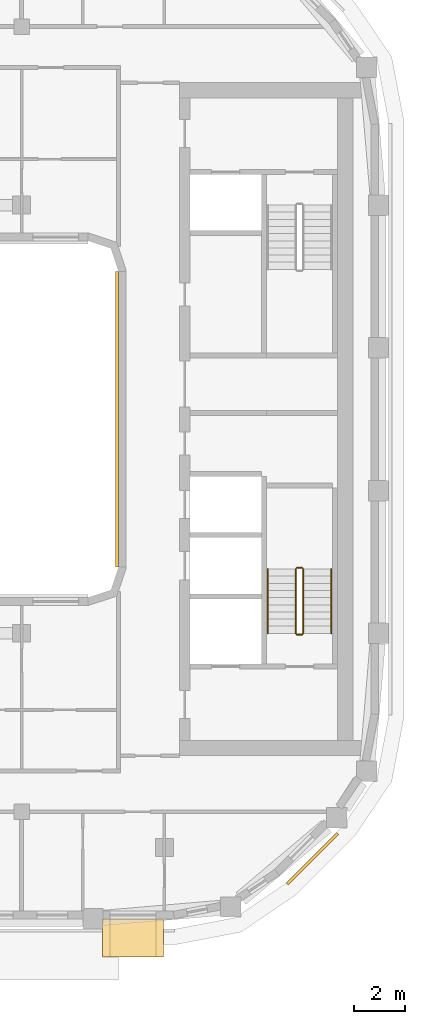
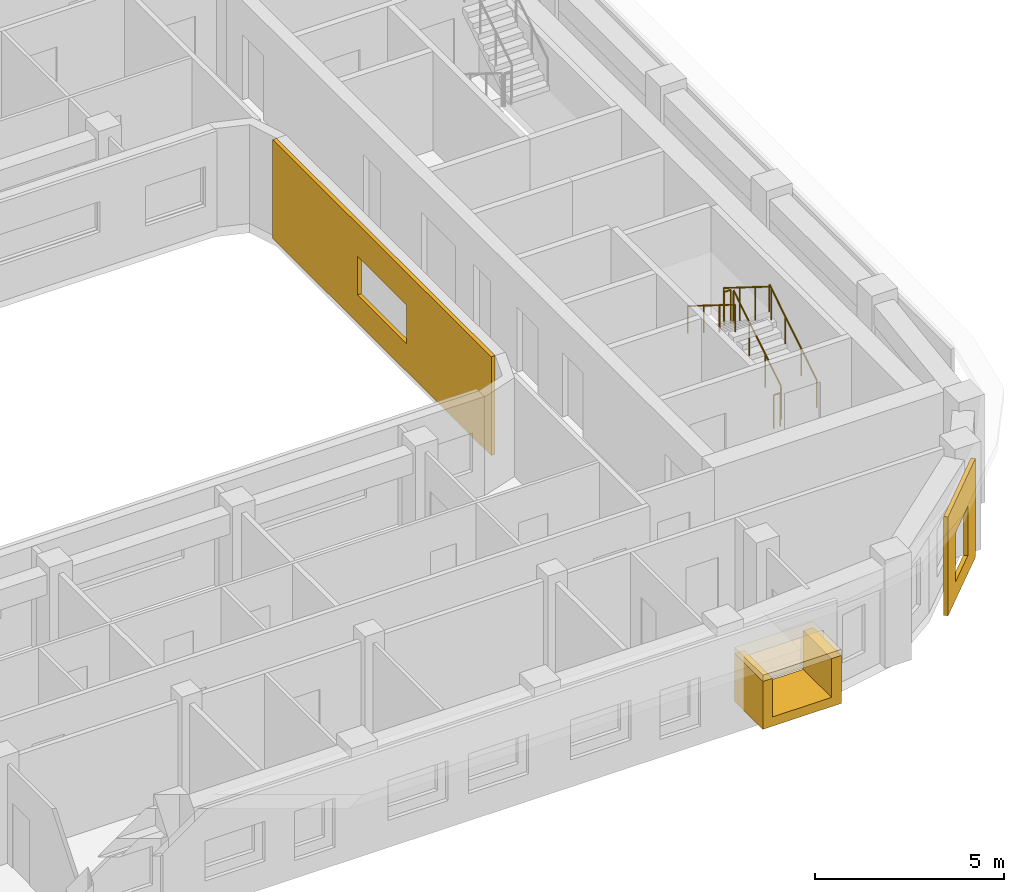
# One storey, part 13 of 16: 6 railings, 4 coverings.
"""IFC4 building model written with IfcOpenShell, lengths in metres."""

from ifc_helpers import new_model, si_unit, direction, frame, origin, origin_2d, place, context, subcontext, project, spatial, polyline, rectangle, circle, outline, extrude, material, layer, layer_set, type_object, element, save


model = new_model("IFC4")

# Units and contexts
model_context = context("Model", 3, precision=1e-05, world=origin(), true_north=direction((0.0, 1.0)))
body_context = subcontext(model_context, "Body", "Model", "MODEL_VIEW")
ifc_project = project(units=[si_unit("LENGTHUNIT", "METRE"), si_unit("AREAUNIT", "SQUARE_METRE"), si_unit("VOLUMEUNIT", "CUBIC_METRE"), si_unit("PLANEANGLEUNIT", "RADIAN"), si_unit("MASSUNIT", "GRAM", prefix="KILO")], contexts=[model_context])

# Site, building, storey
site_placement = place(None, origin())
site = spatial("IfcSite", under=ifc_project, at=site_placement, CompositionType="ELEMENT")
building_placement = place(site_placement, origin())
building = spatial("IfcBuilding", under=site, at=building_placement, Name="Kiln Ring Residences", CompositionType="ELEMENT")
storey_placement = place(building_placement, frame((0.0, 0.0, 259.199951171875)))
storey = spatial("IfcBuildingStorey", under=building, at=storey_placement, Name="L67", CompositionType="ELEMENT", Elevation=259.199951171875)

# Railings
ifc_material_1 = material(Name="Stainless steel", Category="steel")
railing_type_1 = type_object("IfcRailingType", Name="CORE-STAIR-GUARD", PredefinedType="GUARDRAIL", material=ifc_material_1)
railing_1_placement = place(storey_placement, frame((22.25, -8.39990234375, 0.175048828125)))
element("IfcRailing", 1, at=railing_1_placement, inside=storey, type_object=railing_type_1, Name="L67 E-STS stair guard 1", PredefinedType="GUARDRAIL", context=body_context, shape_type="SweptSolid", body=[
    extrude(circle(Radius=0.02392578125, at=origin_2d()), frame((0.0, 0.0, 1.076171875), z_axis=(0.0, 0.848007534815, 0.529984170421), x_axis=(-1.0, 0.0, 0.0)), (0.0, 0.0, 1.0), 2.9716796875),
    extrude(circle(Radius=0.02099609375, at=origin_2d()), origin(), (0.0, 0.0, 1.0), 1.052001953125),
    extrude(circle(Radius=0.02099609375, at=origin_2d()), frame((0.0, 0.840087890625, 0.52490234375)), (0.0, 0.0, 1.0), 1.052001953125),
    extrude(circle(Radius=0.02099609375, at=origin_2d()), frame((0.0, 1.679931640625, 1.050048828125)), (0.0, 0.0, 1.0), 1.052001953125),
    extrude(circle(Radius=0.02099609375, at=origin_2d()), frame((0.0, 2.52001953125, 1.574951171875)), (0.0, 0.0, 1.0), 1.052001953125),
])
railing_2_placement = place(storey_placement, frame((22.199951171875, -5.830078125, 1.75)))
element("IfcRailing", 2, at=railing_2_placement, inside=storey, type_object=railing_type_1, Name="L67 E-STS stair guard 2", PredefinedType="GUARDRAIL", context=body_context, shape_type="SweptSolid", body=[
    extrude(circle(Radius=0.02392578125, at=origin_2d()), frame((0.0, 0.0, 1.076171875), z_axis=(-1.0, 0.0, 0.0), x_axis=(0.0, -1.0, 0.0)), (0.0, 0.0, 1.0), 0.199951171875),
    extrude(circle(Radius=0.02099609375, at=origin_2d()), origin(), (0.0, 0.0, 1.0), 1.052001953125),
    extrude(circle(Radius=0.02099609375, at=origin_2d()), frame((-0.199951171875, 0.0, 0.0)), (0.0, 0.0, 1.0), 1.052001953125),
])
railing_3_placement = place(storey_placement, frame((21.949951171875, -5.8798828125, 1.925048828125)))
element("IfcRailing", 3, at=railing_3_placement, inside=storey, type_object=railing_type_1, Name="L67 E-STS stair guard 3", PredefinedType="GUARDRAIL", context=body_context, shape_type="SweptSolid", body=[
    extrude(circle(Radius=0.02392578125, at=origin_2d()), frame((0.0, 0.0, 1.076171875), z_axis=(0.0, -0.848007534815, 0.529984170421), x_axis=(1.0, 0.0, 0.0)), (0.0, 0.0, 1.0), 2.9716796875),
    extrude(circle(Radius=0.02099609375, at=origin_2d()), origin(), (0.0, 0.0, 1.0), 1.052001953125),
    extrude(circle(Radius=0.02099609375, at=origin_2d()), frame((0.0, -0.840087890625, 0.52490234375)), (0.0, 0.0, 1.0), 1.052001953125),
    extrude(circle(Radius=0.02099609375, at=origin_2d()), frame((0.0, -1.679931640625, 1.050048828125)), (0.0, 0.0, 1.0), 1.052001953125),
    extrude(circle(Radius=0.02099609375, at=origin_2d()), frame((0.0, -2.52001953125, 1.574951171875)), (0.0, 0.0, 1.0), 1.052001953125),
])
railing_4_placement = place(storey_placement, frame((22.199951171875, -8.449951171875, 0.0)))
element("IfcRailing", 4, at=railing_4_placement, inside=storey, type_object=railing_type_1, Name="L67 E-STS stair guard 4", PredefinedType="GUARDRAIL", context=body_context, shape_type="SweptSolid", body=[
    extrude(circle(Radius=0.02392578125, at=origin_2d()), frame((0.0, 0.0, 1.076171875), z_axis=(-1.0, 0.0, 0.0), x_axis=(0.0, -1.0, 0.0)), (0.0, 0.0, 1.0), 0.199951171875),
    extrude(circle(Radius=0.02099609375, at=origin_2d()), origin(), (0.0, 0.0, 1.0), 1.052001953125),
    extrude(circle(Radius=0.02099609375, at=origin_2d()), frame((-0.199951171875, 0.0, 0.0)), (0.0, 0.0, 1.0), 1.052001953125),
])
ifc_material_2 = material(Name="Stainless steel", Category="steel")
railing_type_2 = type_object("IfcRailingType", Name="CORE-STAIR-HANDRAIL", PredefinedType="HANDRAIL", material=ifc_material_2)
railing_5_placement = place(storey_placement, frame((23.35009765625, -8.39990234375, 0.175048828125)))
element("IfcRailing", 5, at=railing_5_placement, inside=storey, type_object=railing_type_2, Name="L67 E-STS stair handrail 1", PredefinedType="HANDRAIL", context=body_context, shape_type="SweptSolid", body=[
    extrude(circle(Radius=0.02392578125, at=origin_2d()), frame((0.0, 0.0, 0.8759765625), z_axis=(0.0, 0.848007534815, 0.529984170421), x_axis=(-1.0, 0.0, 0.0)), (0.0, 0.0, 1.0), 2.9716796875),
    extrude(circle(Radius=0.02099609375, at=origin_2d()), origin(), (0.0, 0.0, 1.0), 0.851806640625),
    extrude(circle(Radius=0.02099609375, at=origin_2d()), frame((0.0, 0.840087890625, 0.52490234375)), (0.0, 0.0, 1.0), 0.851806640625),
    extrude(circle(Radius=0.02099609375, at=origin_2d()), frame((0.0, 1.679931640625, 1.050048828125)), (0.0, 0.0, 1.0), 0.851806640625),
    extrude(circle(Radius=0.02099609375, at=origin_2d()), frame((0.0, 2.52001953125, 1.574951171875)), (0.0, 0.0, 1.0), 0.851806640625),
])
railing_6_placement = place(storey_placement, frame((20.85009765625, -5.8798828125, 1.925048828125)))
element("IfcRailing", 6, at=railing_6_placement, inside=storey, type_object=railing_type_2, Name="L67 E-STS stair handrail 2", PredefinedType="HANDRAIL", context=body_context, shape_type="SweptSolid", body=[
    extrude(circle(Radius=0.02392578125, at=origin_2d()), frame((0.0, 0.0, 0.8759765625), z_axis=(0.0, -0.848007534815, 0.529984170421), x_axis=(1.0, 0.0, 0.0)), (0.0, 0.0, 1.0), 2.9716796875),
    extrude(circle(Radius=0.02099609375, at=origin_2d()), origin(), (0.0, 0.0, 1.0), 0.851806640625),
    extrude(circle(Radius=0.02099609375, at=origin_2d()), frame((0.0, -0.840087890625, 0.52490234375)), (0.0, 0.0, 1.0), 0.851806640625),
    extrude(circle(Radius=0.02099609375, at=origin_2d()), frame((0.0, -1.679931640625, 1.050048828125)), (0.0, 0.0, 1.0), 0.851806640625),
    extrude(circle(Radius=0.02099609375, at=origin_2d()), frame((0.0, -2.52001953125, 1.574951171875)), (0.0, 0.0, 1.0), 0.851806640625),
])

# Coverings
ifc_material_3 = material(Name="Brick masonry, dark clay brick", Category="masonry")
ifc_layer_1 = layer(ifc_material_3, 0.300048828125)
ifc_layer_set_1 = layer_set([ifc_layer_1], Name="FRAME CHEEKS AND SILL 1500")
covering_type_1 = type_object("IfcCoveringType", Name="FRAME CHEEKS AND SILL 1500", PredefinedType="CLADDING", material=ifc_layer_set_1)
covering_1_placement = place(storey_placement, frame((14.362548828125, -20.35009765625, 0.60009765625), z_axis=(0.0, 0.0, 1.0), x_axis=(1.0, 0.0, 0.0)))
element("IfcCovering", 7, at=covering_1_placement, inside=storey, type_object=covering_type_1, Name="FRAME L67", PredefinedType="CLADDING", context=body_context, shape_type="SweptSolid", body=[
    extrude(outline(polyline([(0.0, 0.0), (2.39990234375, 0.0), (2.39990234375, 1.550048828125), (2.10107421875, 1.550048828125), (2.10009765625, 0.300048828125), (0.300048828125, 0.300048828125), (0.299072265625, 1.550048828125), (0.0, 1.550048828125), (0.0, 0.0)])), frame((0.0, 0.75, 0.0), z_axis=(0.0, -1.0, 0.0), x_axis=(1.0, 0.0, 0.0)), (0.0, 0.0, 1.0), 1.5),
])
ifc_material_4 = material(Name="Brick masonry, dark clay brick", Category="masonry")
ifc_layer_2 = layer(ifc_material_4, 0.199951171875)
ifc_layer_set_2 = layer_set([ifc_layer_2], Name="FRAME HEAD 1500")
covering_type_2 = type_object("IfcCoveringType", Name="FRAME HEAD 1500", PredefinedType="CLADDING", material=ifc_layer_set_2)
covering_2_placement = place(storey_placement, frame((15.5625, -20.35009765625, 2.14990234375), z_axis=(0.0, 0.0, 1.0), x_axis=(1.0, 0.0, 0.0)))
element("IfcCovering", 8, at=covering_2_placement, inside=storey, type_object=covering_type_2, Name="FRAME HEAD L67", PredefinedType="CLADDING", context=body_context, shape_type="SweptSolid", body=[
    extrude(rectangle(XDim=2.39990234375, YDim=1.5, at=origin_2d()), origin(), (0.0, 0.0, 1.0), 0.199951171875),
])
ifc_material_5 = material(Name="Brick masonry, dark clay brick", Category="masonry")
ifc_layer_3 = layer(ifc_material_5, 0.1201171875)
ifc_layer_set_3 = layer_set([ifc_layer_3], Name="RAINSCREEN PANEL 120")
covering_type_3 = type_object("IfcCoveringType", Name="RAINSCREEN PANEL 120", PredefinedType="CLADDING", material=ifc_layer_set_3)
covering_3_placement = place(storey_placement, frame((21.622314453125, -18.228271484375, 0.0), z_axis=(0.0, 0.0, 1.0), x_axis=(0.707106781187, 0.707106781187, 0.0)))
element("IfcCovering", 9, at=covering_3_placement, inside=storey, type_object=covering_type_3, Name="RAINSCREEN L67", PredefinedType="CLADDING", context=body_context, shape_type="SweptSolid", body=[
    extrude(outline(polyline([(0.0, 0.0), (2.800048828125, 0.0), (2.800048828125, 3.199951171875), (0.0, 3.199951171875), (0.0, 0.0)]), holes=[polyline([(0.780029296875, 2.170166015625), (0.780029296875, 0.580078125), (2.02001953125, 0.580078125), (2.02001953125, 2.170166015625), (0.780029296875, 2.170166015625)])]), frame((0.0, 0.06005859375, 0.0), z_axis=(0.0, -1.0, 0.0), x_axis=(1.0, 0.0, 0.0)), (0.0, 0.0, 1.0), 0.1201171875),
])
covering_4_placement = place(storey_placement, frame((14.93994140625, 5.800048828125, 0.0), z_axis=(0.0, 0.0, 1.0), x_axis=(0.0, -1.0, 0.0)))
element("IfcCovering", 10, at=covering_4_placement, inside=storey, type_object=covering_type_3, Name="RAINSCREEN L67", PredefinedType="CLADDING", context=body_context, shape_type="SweptSolid", body=[
    extrude(outline(polyline([(0.0, 0.0), (11.60009765625, 0.0), (11.60009765625, 3.199951171875), (0.0, 3.199951171875), (0.0, 0.0)]), holes=[polyline([(4.5, 2.150146484375), (4.5, 0.900146484375), (7.10009765625, 0.900146484375), (7.10009765625, 2.150146484375), (4.5, 2.150146484375)])]), frame((0.0, 0.06005859375, 0.0), z_axis=(0.0, -1.0, 0.0), x_axis=(1.0, 0.0, 0.0)), (0.0, 0.0, 1.0), 0.1201171875),
])

save(model, "model.ifc")
